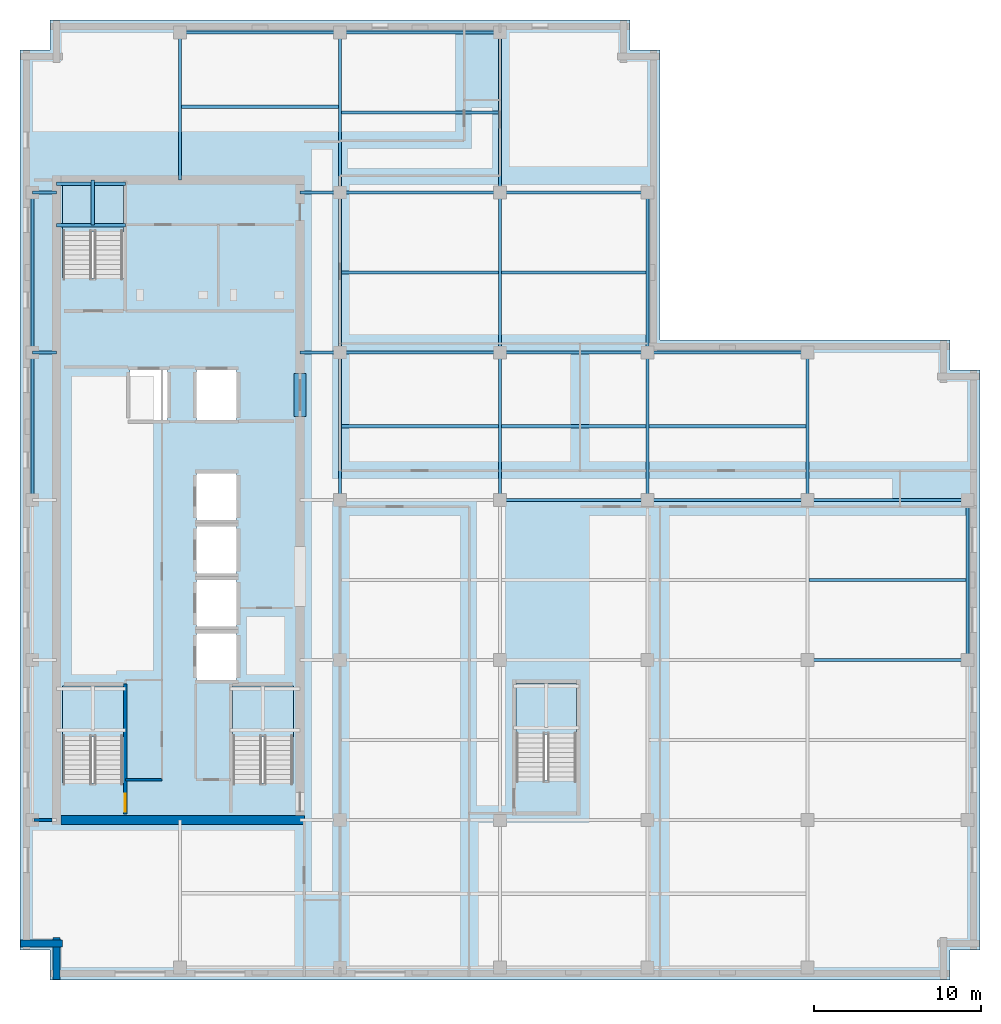
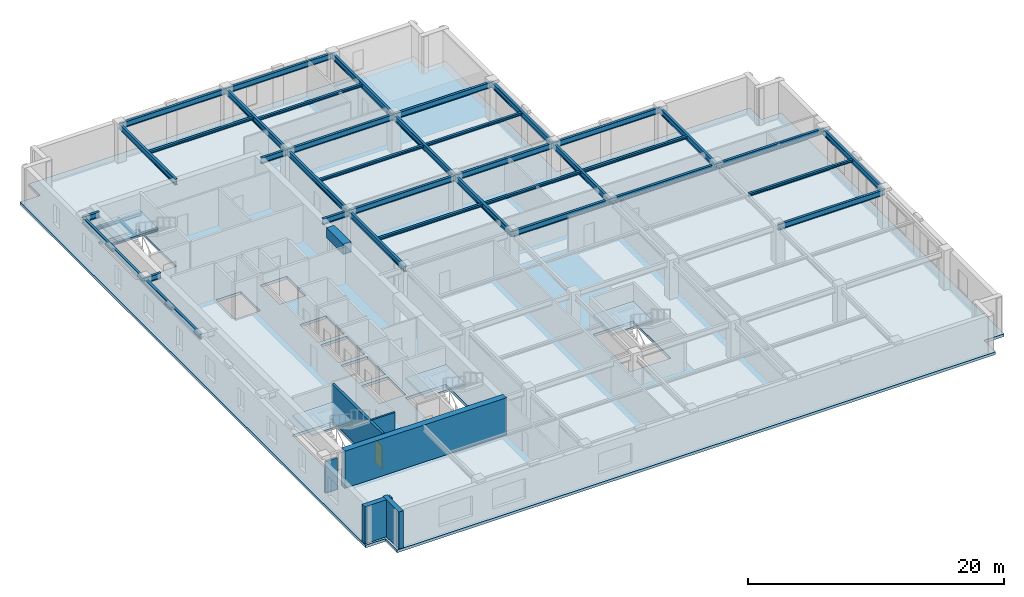
# One storey, part 2 of 11: 40 beams, 6 walls, 5 slabs, 1 door, 1 opening, 4 elements without a shape of their own.
"""IFC4 building model written with IfcOpenShell, lengths in metres."""

import ifcopenshell
import ifcopenshell.guid

model = None  # the IFC model being written
_history = None  # IfcOwnerHistory: only IFC2X3 demands one
_inside = {}  # id of a spatial element -> (the spatial element, [elements in it])
_under = {}  # id of a project, library or spatial element -> (it, [spatial elements below it])
_declared = {}  # id of a project -> (the project, [libraries it declares])
_typed = {}  # id of a type object -> (the type object, [elements of that type])
_made_of = {}  # id of a material, layer set ... -> (it, [elements and type objects made of it])


def new_model(schema):
    """Start an empty IFC model of exactly this schema.

    Asked for "IFC4X3", IfcOpenShell would pick the latest addendum, in which some entities
    have other attributes; the version numbers below select the first issue.
    IFC2X3 requires an IfcOwnerHistory on every rooted entity: one is made here for all.
    """
    global model, _history
    if schema == "IFC4X3":
        model = ifcopenshell.file(schema_version=(4, 3, 0, 0))
    else:
        model = ifcopenshell.file(schema=schema)
    _inside.clear()
    _under.clear()
    _declared.clear()
    _typed.clear()
    _made_of.clear()
    _history = None
    if model.schema == "IFC2X3":
        org = make("IfcOrganization", Name="unknown")
        user = make(
            "IfcPersonAndOrganization",
            ThePerson=make("IfcPerson", FamilyName="unknown"),
            TheOrganization=org,
        )
        app = make(
            "IfcApplication",
            ApplicationDeveloper=org,
            Version="unknown",
            ApplicationFullName="unknown",
            ApplicationIdentifier="unknown",
        )
        _history = make(
            "IfcOwnerHistory",
            OwningUser=user,
            OwningApplication=app,
            ChangeAction="ADDED",
            CreationDate=0,
        )
    return model


def make(cls, **values):
    """One entity of the class cls with the attributes given. An attribute that is None is left unset."""
    return model.create_entity(
        cls, **{name: value for name, value in values.items() if value is not None}
    )


def rooted(cls, **values):
    """An entity with a GlobalId (a new one), such as an element, a storey or a relation."""
    return make(cls, GlobalId=ifcopenshell.guid.new(), OwnerHistory=_history, **values)


def si_unit(unit_type, name, prefix=None):
    """IfcSIUnit, for example si_unit("LENGTHUNIT", "METRE", prefix="MILLI")."""
    return make("IfcSIUnit", UnitType=unit_type, Prefix=prefix, Name=name)


def assignment(units):
    """IfcUnitAssignment: the units of a project."""
    return None if units is None else make("IfcUnitAssignment", Units=units)


def point(xyz):
    """IfcCartesianPoint."""
    return None if xyz is None else make("IfcCartesianPoint", Coordinates=xyz)


def direction(xyz):
    """IfcDirection."""
    return None if xyz is None else make("IfcDirection", DirectionRatios=xyz)


def frame(location, z_axis=None, x_axis=None):
    """IfcAxis2Placement3D, a coordinate frame: its origin and axes. An axis left out is left unset."""
    return make(
        "IfcAxis2Placement3D",
        Location=point(location),
        Axis=direction(z_axis),
        RefDirection=direction(x_axis),
    )


def frame_2d(location, x_axis=None):
    """IfcAxis2Placement2D, a coordinate frame in the plane: its origin and x axis."""
    return make(
        "IfcAxis2Placement2D", Location=point(location), RefDirection=direction(x_axis)
    )


def origin():
    """The frame at (0, 0, 0) with its axes left unset."""
    return frame((0.0, 0.0, 0.0))


def origin_2d():
    """The frame at (0, 0) in the plane with its x axis left unset."""
    return frame_2d((0.0, 0.0))


def place(relative_to, where):
    """IfcLocalPlacement: puts the frame where relative to a parent placement (None: the world)."""
    return make(
        "IfcLocalPlacement", PlacementRelTo=relative_to, RelativePlacement=where
    )


def context(
    kind, dimensions, precision=None, world=None, true_north=None, identifier=None
):
    """IfcGeometricRepresentationContext, for example the 3D "Model" context."""
    return make(
        "IfcGeometricRepresentationContext",
        ContextIdentifier=identifier,
        ContextType=kind,
        CoordinateSpaceDimension=dimensions,
        Precision=precision,
        WorldCoordinateSystem=world,
        TrueNorth=true_north,
    )


def subcontext(parent, identifier, kind, view, scale=None):
    """IfcGeometricRepresentationSubContext, for example "Body" below "Model"."""
    return make(
        "IfcGeometricRepresentationSubContext",
        ContextIdentifier=identifier,
        ContextType=kind,
        ParentContext=parent,
        TargetScale=scale,
        TargetView=view,
    )


def project(units=None, contexts=None):
    """IfcProject with its units and contexts."""
    return rooted(
        "IfcProject",
        Name="project",
        RepresentationContexts=contexts,
        UnitsInContext=assignment(units),
    )


def spatial(cls, under=None, at=None, **own):
    """A site, building, storey or space (cls), placed at a placement, below another one or the project."""
    s = rooted(cls, ObjectPlacement=at, **own)
    if under is not None:
        _under.setdefault(under.id(), (under, []))[1].append(s)
    return s


def polyline(points):
    """IfcPolyline through the points."""
    return make("IfcPolyline", Points=[point(p) for p in points])


def profile(cls, at=None, kind="AREA", **sizes):
    """A parametric profile (cls). Its sizes go by their IFC names, for example OverallWidth=200.0."""
    return make(cls, ProfileType=kind, Position=at, **sizes)


def rectangle(**sizes):
    """IfcRectangleProfileDef."""
    return profile("IfcRectangleProfileDef", **sizes)


def i_section(**sizes):
    """IfcIShapeProfileDef."""
    return profile("IfcIShapeProfileDef", **sizes)


def outline(outer, holes=None, kind="AREA"):
    """IfcArbitraryClosedProfileDef: a profile drawn as a closed curve; with holes, ...WithVoids."""
    if holes is None:
        return make("IfcArbitraryClosedProfileDef", ProfileType=kind, OuterCurve=outer)
    return make(
        "IfcArbitraryProfileDefWithVoids",
        ProfileType=kind,
        OuterCurve=outer,
        InnerCurves=holes,
    )


def extrude(swept, where, along, depth):
    """IfcExtrudedAreaSolid: the profile swept, set in the frame where, extruded along a direction by depth."""
    return make(
        "IfcExtrudedAreaSolid",
        SweptArea=swept,
        Position=where,
        ExtrudedDirection=direction(along),
        Depth=depth,
    )


def shape(context_of_items, identifier, shape_type, items):
    """IfcShapeRepresentation: the items that make up one representation, for example the "Body"."""
    return make(
        "IfcShapeRepresentation",
        ContextOfItems=context_of_items,
        RepresentationIdentifier=identifier,
        RepresentationType=shape_type,
        Items=items,
    )


def material(Name=None, Category=None):
    """IfcMaterial."""
    return make("IfcMaterial", Name=Name, Category=Category)


def layer(
    of_material, thickness, ventilated=None, Name=None, Category=None, Priority=None
):
    """IfcMaterialLayer: one layer of a wall or slab, of a material (None: an air gap)."""
    return make(
        "IfcMaterialLayer",
        Material=of_material,
        LayerThickness=thickness,
        IsVentilated=ventilated,
        Name=Name,
        Category=Category,
        Priority=Priority,
    )


def layer_set(layers, Name=None):
    """IfcMaterialLayerSet."""
    return make("IfcMaterialLayerSet", MaterialLayers=layers, LayerSetName=Name)


def material_profile(
    of_material, cross_section, Name=None, Category=None, Priority=None
):
    """IfcMaterialProfile: a cross section and its material."""
    return make(
        "IfcMaterialProfile",
        Name=Name,
        Material=of_material,
        Profile=cross_section,
        Priority=Priority,
        Category=Category,
    )


def profile_set(profiles, Name=None, composite=None):
    """IfcMaterialProfileSet."""
    return make(
        "IfcMaterialProfileSet",
        Name=Name,
        MaterialProfiles=profiles,
        CompositeProfile=composite,
    )


def made_of(thing, what):
    """Note that an element or type object is made of a material, layer set ...; save() writes the relation."""
    if what is not None:
        _made_of.setdefault(what.id(), (what, []))[1].append(thing)
    return thing


def type_object(cls, material=None, **own):
    """A type object (cls), such as IfcWallType, which elements share."""
    return made_of(rooted(cls, **own), material)


def element(
    cls,
    number,
    at=None,
    inside=None,
    cuts=None,
    type_object=None,
    material=None,
    context=None,
    identifier="Body",
    shape_type=None,
    held_by="IfcProductDefinitionShape",
    body=None,
    shapes=None,
    **own,
):
    """One element of the class cls, such as IfcWall. Its Tag is "e" and its number.

    at: its placement. inside: the storey or other place that contains it. cuts: it is an
    opening in that element (IfcRelVoidsElement). A single representation is given by context,
    identifier, shape_type and body (its items); several are given by shapes. held_by: the class
    of the entity that holds the representations. save() writes the other relations.
    """
    e = rooted(cls, Tag="e%d" % number, ObjectPlacement=at, **own)
    if body is not None:
        shapes = [shape(context, identifier, shape_type, body)]
    if shapes is not None:
        e.Representation = make(held_by, Representations=shapes)
    if inside is not None:
        _inside.setdefault(inside.id(), (inside, []))[1].append(e)
    if cuts is not None:
        rooted(
            "IfcRelVoidsElement", RelatingBuildingElement=cuts, RelatedOpeningElement=e
        )
    if type_object is not None:
        _typed.setdefault(type_object.id(), (type_object, []))[1].append(e)
    return made_of(e, material)


def fill(opening, filler):
    """IfcRelFillsElement: the door or window that sits in an opening."""
    return rooted(
        "IfcRelFillsElement",
        RelatingOpeningElement=opening,
        RelatedBuildingElement=filler,
    )


def aggregate(whole, parts):
    """IfcRelAggregates: a whole, such as a stair, and the parts it consists of."""
    return rooted("IfcRelAggregates", RelatingObject=whole, RelatedObjects=parts)


def save(model, path):
    """Write the relations noted so far, then the file.

    IfcRelAggregates (storeys below a building ...), IfcRelContainedInSpatialStructure (elements
    in a storey), IfcRelDefinesByType, IfcRelAssociatesMaterial and IfcRelDeclares: one each for
    every whole, place, type object, material and project.
    """
    for whole, parts in _under.values():
        aggregate(whole, parts)
    for where, things in _inside.values():
        rooted(
            "IfcRelContainedInSpatialStructure",
            RelatedElements=things,
            RelatingStructure=where,
        )
    for kind, things in _typed.values():
        rooted("IfcRelDefinesByType", RelatedObjects=things, RelatingType=kind)
    for what, things in _made_of.values():
        rooted("IfcRelAssociatesMaterial", RelatedObjects=things, RelatingMaterial=what)
    for by, libraries in _declared.values():
        rooted("IfcRelDeclares", RelatingContext=by, RelatedDefinitions=libraries)
    model.write(path)


model = new_model("IFC4")

# Units and contexts
model_context = context("Model", 3, precision=1e-05, world=origin(), true_north=direction((0.0, 1.0)))
body_context = subcontext(model_context, "Body", "Model", "MODEL_VIEW")
ifc_project = project(units=[si_unit("LENGTHUNIT", "METRE"), si_unit("AREAUNIT", "SQUARE_METRE"), si_unit("VOLUMEUNIT", "CUBIC_METRE"), si_unit("PLANEANGLEUNIT", "RADIAN"), si_unit("MASSUNIT", "GRAM", prefix="KILO")], contexts=[model_context])

# Site, building, storey
site_placement = place(None, origin())
site = spatial("IfcSite", under=ifc_project, at=site_placement, CompositionType="ELEMENT")
building_placement = place(site_placement, origin())
building = spatial("IfcBuilding", under=site, at=building_placement, Name="Norrvale University Quadrangle", CompositionType="ELEMENT")
storey_placement = place(building_placement, frame((0.0, 0.0, 248.39990234375)))
storey = spatial("IfcBuildingStorey", under=building, at=storey_placement, Name="L63", CompositionType="ELEMENT", Elevation=248.39990234375)

# Beams
ifc_material_1 = material(Name="Concrete C80/95", Category="concrete")
ifc_material_profile_1 = material_profile(ifc_material_1, rectangle(XDim=0.699951171875, YDim=0.949951171875, at=origin_2d()), Name="Concrete C80/95")
ifc_profile_set_1 = profile_set([ifc_material_profile_1], Name="Concrete C80/95")
beam_type_1 = type_object("IfcBeamType", Name="Beam Core Link 700x950", PredefinedType="LINTEL", material=ifc_profile_set_1)
beam_1_placement = place(storey_placement, frame((16.800048828125, 33.800048828125, 3.065185546875), z_axis=(0.0, 1.0, 0.0), x_axis=(-1.0, 0.0, 0.0)))
element("IfcBeam", 1, at=beam_1_placement, inside=storey, type_object=beam_type_1, Name="Core Coupling Lintel Beam L63-2", PredefinedType="LINTEL", context=body_context, shape_type="SweptSolid", body=[
    extrude(rectangle(XDim=0.699951171875, YDim=0.949951171875, at=origin_2d()), origin(), (0.0, 0.0, 1.0), 2.599853515625),
])
ifc_material_2 = material(Name="Steel 350W", Category="steel")
ifc_material_profile_2 = material_profile(ifc_material_2, i_section(OverallWidth=0.208984375, OverallDepth=0.532958984375, WebThickness=0.01025390625, FlangeThickness=0.015625, FilletRadius=0.013916015625, at=origin_2d()), Name="Steel 350W")
ifc_profile_set_2 = profile_set([ifc_material_profile_2], Name="Steel 350W")
beam_type_2 = type_object("IfcBeamType", Name="Beam Floor W530x92", PredefinedType="JOIST", material=ifc_profile_set_2)
beam_2_placement = place(storey_placement, frame((47.25, 19.199951171875, 3.273681640625), z_axis=(1.0, 0.0, 0.0), x_axis=(0.0, 1.0, 0.0)))
element("IfcBeam", 2, at=beam_2_placement, inside=storey, type_object=beam_type_2, Name="Beam Floor W530x92 BM-L63-GX012", PredefinedType="JOIST", context=body_context, shape_type="SweptSolid", body=[
    extrude(i_section(OverallWidth=0.208984375, OverallDepth=0.532958984375, WebThickness=0.01025390625, FlangeThickness=0.015625, FilletRadius=0.013916015625, at=origin_2d()), origin(), (0.0, 0.0, 1.0), 9.60009765625),
])
beam_3_placement = place(storey_placement, frame((28.800048828125, 28.800048828125, 3.273681640625), z_axis=(1.0, 0.0, 0.0), x_axis=(0.0, 1.0, 0.0)))
element("IfcBeam", 3, at=beam_3_placement, inside=storey, type_object=beam_type_2, Name="Beam Floor W530x92 BM-L63-GX014", PredefinedType="JOIST", context=body_context, shape_type="SweptSolid", body=[
    extrude(i_section(OverallWidth=0.208984375, OverallDepth=0.532958984375, WebThickness=0.01025390625, FlangeThickness=0.015625, FilletRadius=0.013916015625, at=origin_2d()), origin(), (0.0, 0.0, 1.0), 8.849853515625),
])
for number, where, z_axis, x_axis, name in (
    (4, (37.64990234375, 28.800048828125, 3.273681640625), (1.0, 0.0, 0.0), (0.0, 1.0, 0.0), "Beam Floor W530x92 BM-L63-GX015"),
    (5, (47.25, 28.800048828125, 3.273681640625), (1.0, 0.0, 0.0), (0.0, 1.0, 0.0), "Beam Floor W530x92 BM-L63-GX016"),
    (6, (19.199951171875, 37.64990234375, 3.273681640625), (1.0, 0.0, 0.0), (0.0, 1.0, 0.0), "Beam Floor W530x92 BM-L63-GX017"),
):
    element("IfcBeam", number, at=place(storey_placement, frame(where, z_axis=z_axis, x_axis=x_axis)), inside=storey, type_object=beam_type_2, Name=name, PredefinedType="JOIST", context=body_context, shape_type="SweptSolid", body=[
        extrude(i_section(OverallWidth=0.208984375, OverallDepth=0.532958984375, WebThickness=0.01025390625, FlangeThickness=0.015625, FilletRadius=0.013916015625, at=origin_2d()), origin(), (0.0, 0.0, 1.0), 9.60009765625),
    ])
beam_4_placement = place(storey_placement, frame((28.800048828125, 37.64990234375, 3.273681640625), z_axis=(1.0, 0.0, 0.0), x_axis=(0.0, 1.0, 0.0)))
element("IfcBeam", 7, at=beam_4_placement, inside=storey, type_object=beam_type_2, Name="Beam Floor W530x92 BM-L63-GX018", PredefinedType="JOIST", context=body_context, shape_type="SweptSolid", body=[
    extrude(i_section(OverallWidth=0.208984375, OverallDepth=0.532958984375, WebThickness=0.01025390625, FlangeThickness=0.015625, FilletRadius=0.013916015625, at=origin_2d()), origin(), (0.0, 0.0, 1.0), 8.849853515625),
])
for number, where, z_axis, x_axis, name in (
    (8, (37.64990234375, 37.64990234375, 3.273681640625), (1.0, 0.0, 0.0), (0.0, 1.0, 0.0), "Beam Floor W530x92 BM-L63-GX019"),
    (9, (19.199951171875, 47.25, 3.273681640625), (1.0, 0.0, 0.0), (0.0, 1.0, 0.0), "Beam Floor W530x92 BM-L63-GX020"),
):
    element("IfcBeam", number, at=place(storey_placement, frame(where, z_axis=z_axis, x_axis=x_axis)), inside=storey, type_object=beam_type_2, Name=name, PredefinedType="JOIST", context=body_context, shape_type="SweptSolid", body=[
        extrude(i_section(OverallWidth=0.208984375, OverallDepth=0.532958984375, WebThickness=0.01025390625, FlangeThickness=0.015625, FilletRadius=0.013916015625, at=origin_2d()), origin(), (0.0, 0.0, 1.0), 9.60009765625),
    ])
beam_5_placement = place(storey_placement, frame((28.800048828125, 47.25, 3.273681640625), z_axis=(1.0, 0.0, 0.0), x_axis=(0.0, 1.0, 0.0)))
element("IfcBeam", 10, at=beam_5_placement, inside=storey, type_object=beam_type_2, Name="Beam Floor W530x92 BM-L63-GX021", PredefinedType="JOIST", context=body_context, shape_type="SweptSolid", body=[
    extrude(i_section(OverallWidth=0.208984375, OverallDepth=0.532958984375, WebThickness=0.01025390625, FlangeThickness=0.015625, FilletRadius=0.013916015625, at=origin_2d()), origin(), (0.0, 0.0, 1.0), 8.849853515625),
])
beam_6_placement = place(storey_placement, frame((9.60009765625, 56.85009765625, 3.273681640625), z_axis=(1.0, 0.0, 0.0), x_axis=(0.0, 1.0, 0.0)))
element("IfcBeam", 11, at=beam_6_placement, inside=storey, type_object=beam_type_2, Name="Beam Floor W530x92 BM-L63-GX022", PredefinedType="JOIST", context=body_context, shape_type="SweptSolid", body=[
    extrude(i_section(OverallWidth=0.208984375, OverallDepth=0.532958984375, WebThickness=0.01025390625, FlangeThickness=0.015625, FilletRadius=0.013916015625, at=origin_2d()), origin(), (0.0, 0.0, 1.0), 9.599853515625),
])
beam_7_placement = place(storey_placement, frame((19.199951171875, 56.85009765625, 3.273681640625), z_axis=(1.0, 0.0, 0.0), x_axis=(0.0, 1.0, 0.0)))
element("IfcBeam", 12, at=beam_7_placement, inside=storey, type_object=beam_type_2, Name="Beam Floor W530x92 BM-L63-GX023", PredefinedType="JOIST", context=body_context, shape_type="SweptSolid", body=[
    extrude(i_section(OverallWidth=0.208984375, OverallDepth=0.532958984375, WebThickness=0.01025390625, FlangeThickness=0.015625, FilletRadius=0.013916015625, at=origin_2d()), origin(), (0.0, 0.0, 1.0), 9.60009765625),
])
beam_8_placement = place(storey_placement, frame((0.75, 28.800048828125, 3.273681640625), z_axis=(0.0, 1.0, 0.0), x_axis=(-1.0, 0.0, 0.0)))
element("IfcBeam", 13, at=beam_8_placement, inside=storey, type_object=beam_type_2, Name="Beam Floor W530x92 BM-L63-GY026", PredefinedType="JOIST", context=body_context, shape_type="SweptSolid", body=[
    extrude(i_section(OverallWidth=0.208984375, OverallDepth=0.532958984375, WebThickness=0.01025390625, FlangeThickness=0.015625, FilletRadius=0.013916015625, at=origin_2d()), origin(), (0.0, 0.0, 1.0), 8.849853515625),
])
beam_9_placement = place(storey_placement, frame((0.75, 37.64990234375, 3.273681640625), z_axis=(0.0, 1.0, 0.0), x_axis=(-1.0, 0.0, 0.0)))
element("IfcBeam", 14, at=beam_9_placement, inside=storey, type_object=beam_type_2, Name="Beam Floor W530x92 BM-L63-GY027", PredefinedType="JOIST", context=body_context, shape_type="SweptSolid", body=[
    extrude(i_section(OverallWidth=0.208984375, OverallDepth=0.532958984375, WebThickness=0.01025390625, FlangeThickness=0.015625, FilletRadius=0.013916015625, at=origin_2d()), origin(), (0.0, 0.0, 1.0), 9.60009765625),
])
beam_10_placement = place(storey_placement, frame((19.199951171875, 28.800048828125, 3.273681640625), z_axis=(0.0, 1.0, 0.0), x_axis=(-1.0, 0.0, 0.0)))
element("IfcBeam", 15, at=beam_10_placement, inside=storey, type_object=beam_type_2, Name="Beam Floor W530x92 BM-L63-GY031", PredefinedType="JOIST", context=body_context, shape_type="SweptSolid", body=[
    extrude(i_section(OverallWidth=0.208984375, OverallDepth=0.532958984375, WebThickness=0.01025390625, FlangeThickness=0.015625, FilletRadius=0.013916015625, at=origin_2d()), origin(), (0.0, 0.0, 1.0), 8.849853515625),
])
for number, where, z_axis, x_axis, name in (
    (16, (19.199951171875, 37.64990234375, 3.273681640625), (0.0, 1.0, 0.0), (-1.0, 0.0, 0.0), "Beam Floor W530x92 BM-L63-GY032"),
    (17, (19.199951171875, 47.25, 3.273681640625), (0.0, 1.0, 0.0), (-1.0, 0.0, 0.0), "Beam Floor W530x92 BM-L63-GY033"),
):
    element("IfcBeam", number, at=place(storey_placement, frame(where, z_axis=z_axis, x_axis=x_axis)), inside=storey, type_object=beam_type_2, Name=name, PredefinedType="JOIST", context=body_context, shape_type="SweptSolid", body=[
        extrude(i_section(OverallWidth=0.208984375, OverallDepth=0.532958984375, WebThickness=0.01025390625, FlangeThickness=0.015625, FilletRadius=0.013916015625, at=origin_2d()), origin(), (0.0, 0.0, 1.0), 9.60009765625),
    ])
beam_11_placement = place(storey_placement, frame((28.800048828125, 28.800048828125, 3.273681640625), z_axis=(0.0, 1.0, 0.0), x_axis=(-1.0, 0.0, 0.0)))
element("IfcBeam", 18, at=beam_11_placement, inside=storey, type_object=beam_type_2, Name="Beam Floor W530x92 BM-L63-GY037", PredefinedType="JOIST", context=body_context, shape_type="SweptSolid", body=[
    extrude(i_section(OverallWidth=0.208984375, OverallDepth=0.532958984375, WebThickness=0.01025390625, FlangeThickness=0.015625, FilletRadius=0.013916015625, at=origin_2d()), origin(), (0.0, 0.0, 1.0), 8.849853515625),
])
for number, where, z_axis, x_axis, name in (
    (19, (28.800048828125, 37.64990234375, 3.273681640625), (0.0, 1.0, 0.0), (-1.0, 0.0, 0.0), "Beam Floor W530x92 BM-L63-GY038"),
    (20, (28.800048828125, 47.25, 3.273681640625), (0.0, 1.0, 0.0), (-1.0, 0.0, 0.0), "Beam Floor W530x92 BM-L63-GY039"),
):
    element("IfcBeam", number, at=place(storey_placement, frame(where, z_axis=z_axis, x_axis=x_axis)), inside=storey, type_object=beam_type_2, Name=name, PredefinedType="JOIST", context=body_context, shape_type="SweptSolid", body=[
        extrude(i_section(OverallWidth=0.208984375, OverallDepth=0.532958984375, WebThickness=0.01025390625, FlangeThickness=0.015625, FilletRadius=0.013916015625, at=origin_2d()), origin(), (0.0, 0.0, 1.0), 9.60009765625),
    ])
beam_12_placement = place(storey_placement, frame((37.64990234375, 28.800048828125, 3.273681640625), z_axis=(0.0, 1.0, 0.0), x_axis=(-1.0, 0.0, 0.0)))
element("IfcBeam", 21, at=beam_12_placement, inside=storey, type_object=beam_type_2, Name="Beam Floor W530x92 BM-L63-GY043", PredefinedType="JOIST", context=body_context, shape_type="SweptSolid", body=[
    extrude(i_section(OverallWidth=0.208984375, OverallDepth=0.532958984375, WebThickness=0.01025390625, FlangeThickness=0.015625, FilletRadius=0.013916015625, at=origin_2d()), origin(), (0.0, 0.0, 1.0), 8.849853515625),
])
beam_13_placement = place(storey_placement, frame((37.64990234375, 37.64990234375, 3.273681640625), z_axis=(0.0, 1.0, 0.0), x_axis=(-1.0, 0.0, 0.0)))
element("IfcBeam", 22, at=beam_13_placement, inside=storey, type_object=beam_type_2, Name="Beam Floor W530x92 BM-L63-GY044", PredefinedType="JOIST", context=body_context, shape_type="SweptSolid", body=[
    extrude(i_section(OverallWidth=0.208984375, OverallDepth=0.532958984375, WebThickness=0.01025390625, FlangeThickness=0.015625, FilletRadius=0.013916015625, at=origin_2d()), origin(), (0.0, 0.0, 1.0), 9.60009765625),
])
beam_14_placement = place(storey_placement, frame((47.25, 28.800048828125, 3.273681640625), z_axis=(0.0, 1.0, 0.0), x_axis=(-1.0, 0.0, 0.0)))
element("IfcBeam", 23, at=beam_14_placement, inside=storey, type_object=beam_type_2, Name="Beam Floor W530x92 BM-L63-GY048", PredefinedType="JOIST", context=body_context, shape_type="SweptSolid", body=[
    extrude(i_section(OverallWidth=0.208984375, OverallDepth=0.532958984375, WebThickness=0.01025390625, FlangeThickness=0.015625, FilletRadius=0.013916015625, at=origin_2d()), origin(), (0.0, 0.0, 1.0), 8.849853515625),
])
beam_15_placement = place(storey_placement, frame((56.85009765625, 19.199951171875, 3.273681640625), z_axis=(0.0, 1.0, 0.0), x_axis=(-1.0, 0.0, 0.0)))
element("IfcBeam", 24, at=beam_15_placement, inside=storey, type_object=beam_type_2, Name="Beam Floor W530x92 BM-L63-GY050", PredefinedType="JOIST", context=body_context, shape_type="SweptSolid", body=[
    extrude(i_section(OverallWidth=0.208984375, OverallDepth=0.532958984375, WebThickness=0.01025390625, FlangeThickness=0.015625, FilletRadius=0.013916015625, at=origin_2d()), origin(), (0.0, 0.0, 1.0), 9.60009765625),
])
beam_16_placement = place(storey_placement, frame((0.75, 37.64990234375, 3.273681640625), z_axis=(1.0, 0.0, 0.0), x_axis=(0.0, 1.0, 0.0)))
element("IfcBeam", 25, at=beam_16_placement, inside=storey, type_object=beam_type_2, Name="Beam Floor W530x92 BM-L63-GCW057", PredefinedType="JOIST", context=body_context, shape_type="SweptSolid", body=[
    extrude(i_section(OverallWidth=0.208984375, OverallDepth=0.532958984375, WebThickness=0.01025390625, FlangeThickness=0.015625, FilletRadius=0.013916015625, at=origin_2d()), origin(), (0.0, 0.0, 1.0), 1.449951171875),
])
beam_17_placement = place(storey_placement, frame((16.800048828125, 37.64990234375, 3.273681640625), z_axis=(1.0, 0.0, 0.0), x_axis=(0.0, 1.0, 0.0)))
element("IfcBeam", 26, at=beam_17_placement, inside=storey, type_object=beam_type_2, Name="Beam Floor W530x92 BM-L63-GCE058", PredefinedType="JOIST", context=body_context, shape_type="SweptSolid", body=[
    extrude(i_section(OverallWidth=0.208984375, OverallDepth=0.532958984375, WebThickness=0.01025390625, FlangeThickness=0.015625, FilletRadius=0.013916015625, at=origin_2d()), origin(), (0.0, 0.0, 1.0), 2.39990234375),
])
beam_18_placement = place(storey_placement, frame((0.75, 47.25, 3.273681640625), z_axis=(1.0, 0.0, 0.0), x_axis=(0.0, 1.0, 0.0)))
element("IfcBeam", 27, at=beam_18_placement, inside=storey, type_object=beam_type_2, Name="Beam Floor W530x92 BM-L63-GCW059", PredefinedType="JOIST", context=body_context, shape_type="SweptSolid", body=[
    extrude(i_section(OverallWidth=0.208984375, OverallDepth=0.532958984375, WebThickness=0.01025390625, FlangeThickness=0.015625, FilletRadius=0.013916015625, at=origin_2d()), origin(), (0.0, 0.0, 1.0), 1.449951171875),
])
beam_19_placement = place(storey_placement, frame((16.800048828125, 47.25, 3.273681640625), z_axis=(1.0, 0.0, 0.0), x_axis=(0.0, 1.0, 0.0)))
element("IfcBeam", 28, at=beam_19_placement, inside=storey, type_object=beam_type_2, Name="Beam Floor W530x92 BM-L63-GCE060", PredefinedType="JOIST", context=body_context, shape_type="SweptSolid", body=[
    extrude(i_section(OverallWidth=0.208984375, OverallDepth=0.532958984375, WebThickness=0.01025390625, FlangeThickness=0.015625, FilletRadius=0.013916015625, at=origin_2d()), origin(), (0.0, 0.0, 1.0), 2.39990234375),
])
beam_20_placement = place(storey_placement, frame((9.60009765625, 48.0, 3.273681640625), z_axis=(0.0, 1.0, 0.0), x_axis=(-1.0, 0.0, 0.0)))
element("IfcBeam", 29, at=beam_20_placement, inside=storey, type_object=beam_type_2, Name="Beam Floor W530x92 BM-L63-GCN079", PredefinedType="JOIST", context=body_context, shape_type="SweptSolid", body=[
    extrude(i_section(OverallWidth=0.208984375, OverallDepth=0.532958984375, WebThickness=0.01025390625, FlangeThickness=0.015625, FilletRadius=0.013916015625, at=origin_2d()), origin(), (0.0, 0.0, 1.0), 8.85009765625),
])
ifc_material_profile_3 = material_profile(ifc_material_2, i_section(OverallWidth=0.201904296875, OverallDepth=0.2470703125, WebThickness=0.00732421875, FlangeThickness=0.010986328125, FilletRadius=0.011962890625, at=origin_2d()), Name="Steel 350W")
ifc_profile_set_3 = profile_set([ifc_material_profile_3], Name="Steel 350W")
beam_type_3 = type_object("IfcBeamType", Name="Beam Stair W250x49", PredefinedType="BEAM", material=ifc_profile_set_3)
for number, where, z_axis, x_axis, name in (
    (30, (19.304443359375, 33.22509765625, 3.41650390625), (1.0, 0.0, 0.0), (0.0, 1.0, 0.0), "Beam Stair W250x49 BM-L63-J064"),
    (31, (19.304443359375, 42.449951171875, 3.41650390625), (1.0, 0.0, 0.0), (0.0, 1.0, 0.0), "Beam Stair W250x49 BM-L63-J065"),
    (32, (19.304443359375, 52.050048828125, 3.41650390625), (1.0, 0.0, 0.0), (0.0, 1.0, 0.0), "Beam Stair W250x49 BM-L63-J066"),
):
    element("IfcBeam", number, at=place(storey_placement, frame(where, z_axis=z_axis, x_axis=x_axis)), inside=storey, type_object=beam_type_3, Name=name, PredefinedType="BEAM", context=body_context, shape_type="SweptSolid", body=[
        extrude(i_section(OverallWidth=0.201904296875, OverallDepth=0.2470703125, WebThickness=0.00732421875, FlangeThickness=0.010986328125, FilletRadius=0.011962890625, at=origin_2d()), origin(), (0.0, 0.0, 1.0), 9.39111328125),
    ])
for number, where, z_axis, x_axis, name in (
    (33, (28.904541015625, 33.22509765625, 3.41650390625), (1.0, 0.0, 0.0), (0.0, 1.0, 0.0), "Beam Stair W250x49 BM-L63-J069"),
    (34, (28.904541015625, 42.449951171875, 3.41650390625), (1.0, 0.0, 0.0), (0.0, 1.0, 0.0), "Beam Stair W250x49 BM-L63-J070"),
):
    element("IfcBeam", number, at=place(storey_placement, frame(where, z_axis=z_axis, x_axis=x_axis)), inside=storey, type_object=beam_type_3, Name=name, PredefinedType="BEAM", context=body_context, shape_type="SweptSolid", body=[
        extrude(i_section(OverallWidth=0.201904296875, OverallDepth=0.2470703125, WebThickness=0.00732421875, FlangeThickness=0.010986328125, FilletRadius=0.011962890625, at=origin_2d()), origin(), (0.0, 0.0, 1.0), 8.640869140625),
    ])
for number, where, z_axis, x_axis, name in (
    (35, (37.75439453125, 33.22509765625, 3.41650390625), (1.0, 0.0, 0.0), (0.0, 1.0, 0.0), "Beam Stair W250x49 BM-L63-J074"),
    (36, (47.3544921875, 24.0, 3.41650390625), (1.0, 0.0, 0.0), (0.0, 1.0, 0.0), "Beam Stair W250x49 BM-L63-J076"),
):
    element("IfcBeam", number, at=place(storey_placement, frame(where, z_axis=z_axis, x_axis=x_axis)), inside=storey, type_object=beam_type_3, Name=name, PredefinedType="BEAM", context=body_context, shape_type="SweptSolid", body=[
        extrude(i_section(OverallWidth=0.201904296875, OverallDepth=0.2470703125, WebThickness=0.00732421875, FlangeThickness=0.010986328125, FilletRadius=0.011962890625, at=origin_2d()), origin(), (0.0, 0.0, 1.0), 9.39111328125),
    ])
beam_21_placement = place(storey_placement, frame((9.70458984375, 52.39990234375, 3.41650390625), z_axis=(1.0, 0.0, 0.0), x_axis=(0.0, 1.0, 0.0)))
element("IfcBeam", 37, at=beam_21_placement, inside=storey, type_object=beam_type_3, Name="Beam Stair W250x49 BM-L63-JCN080", PredefinedType="BEAM", context=body_context, shape_type="SweptSolid", body=[
    extrude(i_section(OverallWidth=0.201904296875, OverallDepth=0.2470703125, WebThickness=0.00732421875, FlangeThickness=0.010986328125, FilletRadius=0.011962890625, at=origin_2d()), origin(), (0.0, 0.0, 1.0), 9.390869140625),
])
for number, where, z_axis, x_axis, name in (
    (38, (2.199951171875, 45.2900390625, 1.57666015625), (1.0, 0.0, 0.0), (0.0, 1.0, 0.0), "Stair Mid-Landing Front Beam ST-02 L63"),
    (39, (2.199951171875, 47.77001953125, 1.57666015625), (1.0, 0.0, 0.0), (0.0, 1.0, 0.0), "Stair Mid-Landing Rear Beam ST-02 L63"),
):
    element("IfcBeam", number, at=place(storey_placement, frame(where, z_axis=z_axis, x_axis=x_axis)), inside=storey, type_object=beam_type_3, Name=name, PredefinedType="BEAM", context=body_context, shape_type="SweptSolid", body=[
        extrude(i_section(OverallWidth=0.201904296875, OverallDepth=0.2470703125, WebThickness=0.00732421875, FlangeThickness=0.010986328125, FilletRadius=0.011962890625, at=origin_2d()), origin(), (0.0, 0.0, 1.0), 4.14013671875),
    ])
ifc_material_profile_4 = material_profile(ifc_material_2, i_section(OverallWidth=0.202880859375, OverallDepth=0.202880859375, WebThickness=0.007080078125, FlangeThickness=0.010986328125, FilletRadius=0.010009765625, at=origin_2d()), Name="Steel 350W")
ifc_profile_set_4 = profile_set([ifc_material_profile_4], Name="Steel 350W")
beam_type_4 = type_object("IfcBeamType", Name="Beam Trim W200x46", PredefinedType="BEAM", material=ifc_profile_set_4)
beam_22_placement = place(storey_placement, frame((4.375, 45.2900390625, 1.5986328125), z_axis=(0.0, 1.0, 0.0), x_axis=(-1.0, 0.0, 0.0)))
element("IfcBeam", 40, at=beam_22_placement, inside=storey, type_object=beam_type_4, Name="Stair Mid-Landing Cross Beam ST-02 L63", PredefinedType="BEAM", context=body_context, shape_type="SweptSolid", body=[
    extrude(i_section(OverallWidth=0.202880859375, OverallDepth=0.202880859375, WebThickness=0.007080078125, FlangeThickness=0.010986328125, FilletRadius=0.010009765625, at=origin_2d()), origin(), (0.0, 0.0, 1.0), 2.7099609375),
])

# Stair, slab
ifc_material_3 = material(Name="Concrete C40/50", Category="concrete")
stair_type = type_object("IfcStairType", Name="Stair Tower Typ 3800", PredefinedType="TWO_STRAIGHT_RUN_STAIR", material=ifc_material_3)
stair_1_placement = place(storey_placement, origin())
stair_1 = element("IfcStair", 41, at=stair_1_placement, inside=storey, type_object=stair_type, Name="Exit Stair ST-01 L63", PredefinedType="TWO_STRAIGHT_RUN_STAIR")
ifc_layer_1 = layer(ifc_material_3, 0.199951171875, Name="Concrete C40/50")
ifc_layer_set_1 = layer_set([ifc_layer_1], Name="Concrete C40/50")
slab_type_1 = type_object("IfcSlabType", Name="Slab Landing 200", PredefinedType="LANDING", material=ifc_layer_set_1)
slab_1_placement = place(storey_placement, frame((0.0, 0.0, 1.7001953125)))
slab_1 = element("IfcSlab", 42, at=slab_1_placement, type_object=slab_type_1, Name="Exit Stair ST-01 L63 Mid Landing", PredefinedType="LANDING", context=body_context, shape_type="SweptSolid", body=[
    extrude(outline(polyline([(2.550048828125, 14.590087890625), (6.199951171875, 14.590087890625), (6.199951171875, 17.64990234375), (2.550048828125, 17.64990234375), (2.550048828125, 14.590087890625)])), origin(), (0.0, 0.0, 1.0), 0.199951171875),
])
aggregate(stair_1, [slab_1])

stair_2_placement = place(storey_placement, origin())
stair_2 = element("IfcStair", 43, at=stair_2_placement, inside=storey, type_object=stair_type, Name="Exit Stair ST-02 L63", PredefinedType="TWO_STRAIGHT_RUN_STAIR")
slab_2_placement = place(storey_placement, frame((0.0, 0.0, 1.7001953125)))
slab_2 = element("IfcSlab", 44, at=slab_2_placement, type_object=slab_type_1, Name="Exit Stair ST-02 L63 Mid Landing", PredefinedType="LANDING", context=body_context, shape_type="SweptSolid", body=[
    extrude(outline(polyline([(2.550048828125, 44.889892578125), (6.199951171875, 44.889892578125), (6.199951171875, 47.949951171875), (2.550048828125, 47.949951171875), (2.550048828125, 44.889892578125)])), origin(), (0.0, 0.0, 1.0), 0.199951171875),
])
aggregate(stair_2, [slab_2])

stair_3_placement = place(storey_placement, origin())
stair_3 = element("IfcStair", 45, at=stair_3_placement, inside=storey, type_object=stair_type, Name="Exit Stair ST-03 L63", PredefinedType="TWO_STRAIGHT_RUN_STAIR")
slab_3_placement = place(storey_placement, frame((0.0, 0.0, 1.7001953125)))
slab_3 = element("IfcSlab", 46, at=slab_3_placement, type_object=slab_type_1, Name="Exit Stair ST-03 L63 Mid Landing", PredefinedType="LANDING", context=body_context, shape_type="SweptSolid", body=[
    extrude(outline(polyline([(12.75, 14.590087890625), (16.39990234375, 14.590087890625), (16.39990234375, 17.64990234375), (12.75, 17.64990234375), (12.75, 14.590087890625)])), origin(), (0.0, 0.0, 1.0), 0.199951171875),
])
aggregate(stair_3, [slab_3])

stair_4_placement = place(storey_placement, origin())
stair_4 = element("IfcStair", 47, at=stair_4_placement, inside=storey, type_object=stair_type, Name="Exit Stair ST-04 L63", PredefinedType="TWO_STRAIGHT_RUN_STAIR")
slab_4_placement = place(storey_placement, frame((0.0, 0.0, 1.7001953125)))
slab_4 = element("IfcSlab", 48, at=slab_4_placement, type_object=slab_type_1, Name="Exit Stair ST-04 L63 Mid Landing", PredefinedType="LANDING", context=body_context, shape_type="SweptSolid", body=[
    extrude(outline(polyline([(29.75, 14.739990234375), (33.39990234375, 14.739990234375), (33.39990234375, 17.800048828125), (29.75, 17.800048828125), (29.75, 14.739990234375)])), origin(), (0.0, 0.0, 1.0), 0.199951171875),
])
aggregate(stair_4, [slab_4])

# Slab
ifc_layer_2 = layer(ifc_material_3, 0.260009765625, Name="Concrete C40/50")
ifc_layer_set_2 = layer_set([ifc_layer_2], Name="Concrete C40/50")
slab_type_2 = type_object("IfcSlabType", Name="Slab Tower Typ 260", PredefinedType="FLOOR", material=ifc_layer_set_2)
slab_5_placement = place(storey_placement, frame((0.0, 0.0, -0.260009765625)))
element("IfcSlab", 49, at=slab_5_placement, inside=storey, type_object=slab_type_2, Name="Tower L63 Floor Slab", PredefinedType="FLOOR", context=body_context, shape_type="SweptSolid", body=[
    extrude(outline(polyline([(1.800048828125, 0.0), (55.800048828125, 0.0), (55.800048828125, 1.800048828125), (57.60009765625, 1.800048828125), (57.60009765625, 36.60009765625), (55.800048828125, 36.60009765625), (55.800048828125, 38.39990234375), (38.39990234375, 38.39990234375), (38.39990234375, 55.800048828125), (36.60009765625, 55.800048828125), (36.60009765625, 57.60009765625), (1.800048828125, 57.60009765625), (1.800048828125, 55.800048828125), (0.0, 55.800048828125), (0.0, 1.800048828125), (1.800048828125, 1.800048828125), (1.800048828125, 0.0)]), holes=[polyline([(2.550048828125, 11.81005859375), (6.199951171875, 11.81005859375), (6.199951171875, 17.64990234375), (2.550048828125, 17.64990234375), (2.550048828125, 11.81005859375)]), polyline([(2.550048828125, 42.110107421875), (6.199951171875, 42.110107421875), (6.199951171875, 47.949951171875), (2.550048828125, 47.949951171875), (2.550048828125, 42.110107421875)]), polyline([(12.75, 11.81005859375), (16.39990234375, 11.81005859375), (16.39990234375, 17.64990234375), (12.75, 17.64990234375), (12.75, 11.81005859375)]), polyline([(29.75, 11.9599609375), (33.39990234375, 11.9599609375), (33.39990234375, 17.800048828125), (29.75, 17.800048828125), (29.75, 11.9599609375)]), polyline([(10.60009765625, 18.0), (13.0, 18.0), (13.0, 20.800048828125), (10.60009765625, 20.800048828125), (10.60009765625, 18.0)]), polyline([(10.60009765625, 21.199951171875), (13.0, 21.199951171875), (13.0, 24.0), (10.60009765625, 24.0), (10.60009765625, 21.199951171875)]), polyline([(10.60009765625, 24.39990234375), (13.0, 24.39990234375), (13.0, 27.199951171875), (10.60009765625, 27.199951171875), (10.60009765625, 24.39990234375)]), polyline([(10.60009765625, 27.60009765625), (13.0, 27.60009765625), (13.0, 30.39990234375), (10.60009765625, 30.39990234375), (10.60009765625, 27.60009765625)]), polyline([(6.60009765625, 33.60009765625), (8.85009765625, 33.60009765625), (8.85009765625, 36.60009765625), (6.60009765625, 36.60009765625), (6.60009765625, 33.60009765625)]), polyline([(10.60009765625, 33.60009765625), (13.0, 33.60009765625), (13.0, 36.60009765625), (10.60009765625, 36.60009765625), (10.60009765625, 33.60009765625)])]), origin(), (0.0, 0.0, 1.0), 0.260009765625),
])

# Walls
ifc_material_4 = material(Name="Buff Norman Clay Brick Masonry", Category="masonry")
ifc_layer_3 = layer(ifc_material_4, 0.419921875, Name="Buff Norman Clay Brick Masonry")
ifc_layer_set_3 = layer_set([ifc_layer_3], Name="Buff Norman Clay Brick Masonry")
wall_type_1 = type_object("IfcWallType", Name="Wall Buff Brick 420", PredefinedType="SOLIDWALL", material=ifc_layer_set_3)
for number, where, z_axis, x_axis, name in (
    (50, (0.0400390625, 2.18994140625, 0.0), (0.0, 0.0, 1.0), (1.0, 0.0, 0.0), "Exterior Brick Facade Wall L63-15.1"),
    (51, (2.18994140625, 2.5400390625, 0.0), (0.0, 0.0, 1.0), (0.0, -1.0, 0.0), "Exterior Brick Facade Wall L63-16.1"),
):
    element("IfcWall", number, at=place(storey_placement, frame(where, z_axis=z_axis, x_axis=x_axis)), inside=storey, type_object=wall_type_1, Name=name, PredefinedType="SOLIDWALL", context=body_context, shape_type="SweptSolid", body=[
        extrude(rectangle(XDim=2.5, YDim=0.419921875, at=frame_2d((1.25, 0.0))), origin(), (0.0, 0.0, 1.0), 3.5400390625),
    ])
ifc_material_5 = material(Name="Concrete C60/75", Category="concrete")
ifc_layer_4 = layer(ifc_material_5, 0.550048828125, Name="Concrete C60/75")
ifc_layer_set_4 = layer_set([ifc_layer_4], Name="Concrete C60/75")
wall_type_2 = type_object("IfcWallType", Name="Wall Core 550", PredefinedType="SHEAR", material=ifc_layer_set_4)
wall_1_placement = place(storey_placement, frame((2.47509765625, 9.60009765625, 0.0), z_axis=(0.0, 0.0, 1.0), x_axis=(1.0, 0.0, 0.0)))
element("IfcWall", 52, at=wall_1_placement, inside=storey, type_object=wall_type_2, Name="Tower Core Shear Wall L63-S", PredefinedType="SHEAR", context=body_context, shape_type="SweptSolid", body=[
    extrude(rectangle(XDim=14.599853515625, YDim=0.550048828125, at=frame_2d((7.2998046875, 0.0))), origin(), (0.0, 0.0, 1.0), 3.5400390625),
])
ifc_material_6 = material(Name="Fire-Rated Gypsum Stud Partition")
ifc_layer_5 = layer(ifc_material_6, 0.14990234375, Name="Fire-Rated Gypsum Stud Partition")
ifc_layer_set_5 = layer_set([ifc_layer_5], Name="Fire-Rated Gypsum Stud Partition")
wall_type_3 = type_object("IfcWallType", Name="Wall Gypsum Corridor 150", PredefinedType="PARTITIONING", material=ifc_layer_set_5)
wall_2_placement = place(storey_placement, frame((6.320068359375, 12.02001953125, 0.0), z_axis=(0.0, 0.0, 1.0), x_axis=(1.0, 0.0, 0.0)))
element("IfcWall", 53, at=wall_2_placement, inside=storey, type_object=wall_type_3, Name="Interior Partition WL-L63-REC-S", PredefinedType="PARTITIONING", context=body_context, shape_type="SweptSolid", body=[
    extrude(rectangle(XDim=2.199951171875, YDim=0.14990234375, at=frame_2d((1.10009765625, 0.0))), origin(), (0.0, 0.0, 1.0), 3.5400390625),
])
ifc_material_7 = material(Name="Concrete Blockwork 20 MPa Rated Wall", Category="masonry")
ifc_layer_6 = layer(ifc_material_7, 0.199951171875, Name="Concrete Blockwork 20 MPa Rated Wall")
ifc_layer_set_6 = layer_set([ifc_layer_6], Name="Concrete Blockwork 20 MPa Rated Wall")
wall_type_4 = type_object("IfcWallType", Name="Wall Lobby 200", PredefinedType="SOLIDWALL", material=ifc_layer_set_6)
wall_3_placement = place(storey_placement, frame((0.85009765625, 9.60009765625, 0.0), z_axis=(0.0, 0.0, 1.0), x_axis=(1.0, 0.0, 0.0)))
element("IfcWall", 54, at=wall_3_placement, inside=storey, type_object=wall_type_4, Name="Interior Partition WL-L63-CWRET-S", PredefinedType="SOLIDWALL", context=body_context, shape_type="SweptSolid", body=[
    extrude(rectangle(XDim=1.06982421875, YDim=0.199951171875, at=frame_2d((0.534912109375, 0.0))), origin(), (0.0, 0.0, 1.0), 3.007080078125),
])

# Wall, opening, door
ifc_material_8 = material(Name="Concrete Blockwork 20 MPa Fire Shaft", Category="masonry")
ifc_layer_7 = layer(ifc_material_8, 0.219970703125, Name="Concrete Blockwork 20 MPa Fire Shaft")
ifc_layer_set_7 = layer_set([ifc_layer_7], Name="Concrete Blockwork 20 MPa Fire Shaft")
wall_type_5 = type_object("IfcWallType", Name="Wall Shaft 220", PredefinedType="SOLIDWALL", material=ifc_layer_set_7)
wall_4_placement = place(storey_placement, frame((6.31005859375, 9.949951171875, 0.0), z_axis=(0.0, 0.0, 1.0), x_axis=(0.0, 1.0, 0.0)))
wall_4 = element("IfcWall", 55, at=wall_4_placement, inside=storey, type_object=wall_type_5, Name="Stair ST-01 East Shaft Wall L63", PredefinedType="SOLIDWALL", context=body_context, shape_type="SweptSolid", body=[
    extrude(rectangle(XDim=7.81005859375, YDim=0.219970703125, at=frame_2d((3.905029296875, 0.0))), origin(), (0.0, 0.0, 1.0), 3.5400390625),
])
opening_placement = place(wall_4_placement, frame((0.139892578125, 0.0, 0.0)))
opening = element("IfcOpeningElement", 56, at=opening_placement, cuts=wall_4, Name="Opening D02", PredefinedType="OPENING", context=body_context, shape_type="SweptSolid", body=[
    extrude(rectangle(XDim=1.10009765625, YDim=2.199951171875, at=frame_2d((0.550048828125, 1.10009765625))), frame((0.0, 0.1220703125, 0.0), z_axis=(0.0, -1.0, 0.0), x_axis=(1.0, 0.0, 0.0)), (0.0, 0.0, 1.0), 0.243896484375),
])
ifc_material_9 = material(Name="Hollow Steel 350W Fire Door", Category="steel")
door_type = type_object("IfcDoorType", Name="Door Stair Exit 1100x2200", OperationType="NOTDEFINED", PredefinedType="DOOR", material=ifc_material_9)
door_placement = place(opening_placement, origin())
door = element("IfcDoor", 57, at=door_placement, inside=storey, type_object=door_type, Name="Door Stair Exit 1100x2200 DR-L63-ST01", OperationType="SINGLE_SWING_LEFT", OverallHeight=2.199951171875, OverallWidth=1.10009765625, PredefinedType="DOOR", context=body_context, shape_type="SweptSolid", body=[
    extrude(rectangle(XDim=1.10009765625, YDim=2.199951171875, at=frame_2d((0.550048828125, 1.10009765625))), frame((0.0, 0.02490234375, 0.0), z_axis=(0.0, -1.0, 0.0), x_axis=(1.0, 0.0, 0.0)), (0.0, 0.0, 1.0), 0.050048828125),
])
fill(opening, door)

save(model, "model.ifc")
